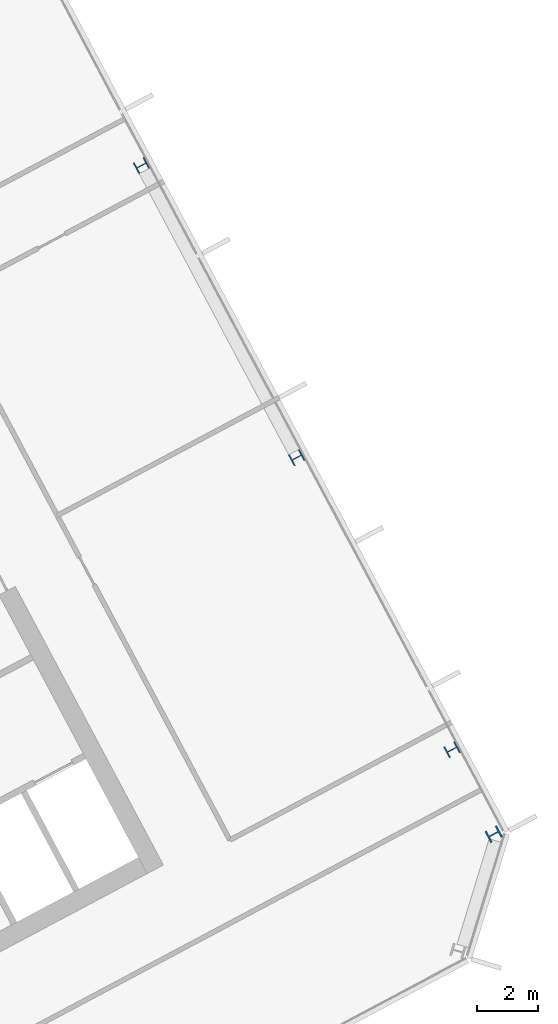
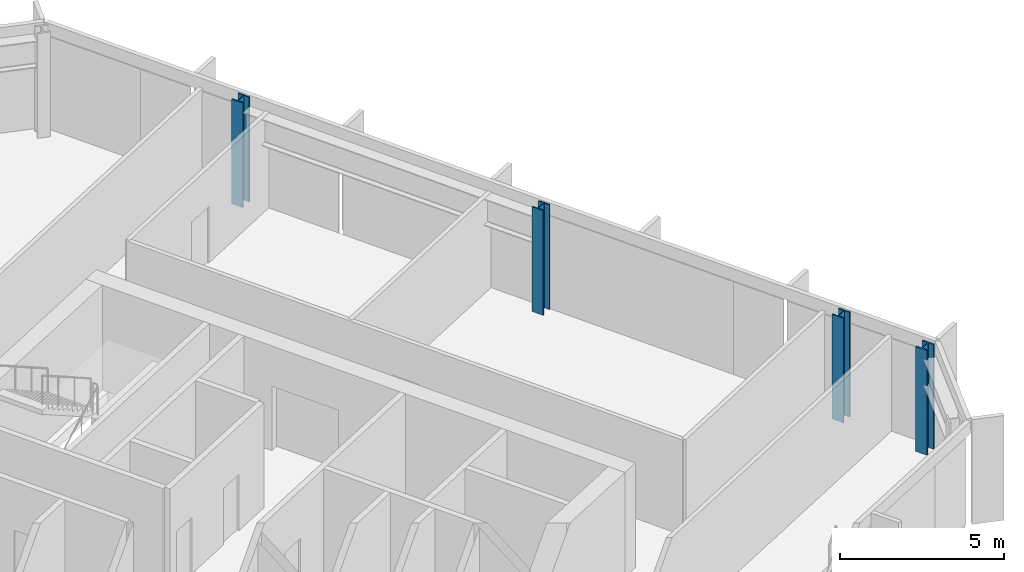
# One storey, part 7 of 26: 4 columns.
"""IFC4 building model written with IfcOpenShell, lengths in metres."""

from ifc_helpers import new_model, si_unit, direction, frame, origin, origin_2d, place, context, subcontext, project, spatial, i_section, extrude, material, material_profile, profile_set, type_object, element, save


model = new_model("IFC4")

# Units and contexts
model_context = context("Model", 3, precision=1e-05, world=origin(), true_north=direction((0.0, 1.0)))
body_context = subcontext(model_context, "Body", "Model", "MODEL_VIEW")
ifc_project = project(units=[si_unit("LENGTHUNIT", "METRE"), si_unit("AREAUNIT", "SQUARE_METRE"), si_unit("VOLUMEUNIT", "CUBIC_METRE"), si_unit("PLANEANGLEUNIT", "RADIAN"), si_unit("MASSUNIT", "GRAM", prefix="KILO")], contexts=[model_context])

# Site, building, storey
site_placement = place(None, origin())
site = spatial("IfcSite", under=ifc_project, at=site_placement, CompositionType="ELEMENT")
building_placement = place(site_placement, origin())
building = spatial("IfcBuilding", under=site, at=building_placement, Name="Cormorant Relay Tower", CompositionType="ELEMENT")
storey_placement = place(building_placement, frame((0.0, 0.0, 193.5)))
storey = spatial("IfcBuildingStorey", under=building, at=storey_placement, Name="L41", CompositionType="ELEMENT", Elevation=193.5)

# Columns
ifc_material_1 = material(Name="Steel ASTM A992 (Fy 345 MPa)", Category="steel")
ifc_material_profile_1 = material_profile(ifc_material_1, i_section(OverallWidth=0.40380859375, OverallDepth=0.406494140625, WebThickness=0.027099609375, FlangeThickness=0.043701171875, FilletRadius=0.01513671875, at=origin_2d()), Name="W360x347")
ifc_profile_set_1 = profile_set([ifc_material_profile_1], Name="Steel ASTM A992 (Fy 345 MPa)")
column_type_1 = type_object("IfcColumnType", Name="Column W360x347", PredefinedType="COLUMN", material=ifc_profile_set_1)
for number, where, z_axis, x_axis, name in (
    (1, (47.26611328125, 12.89990234375, 0.0), (0.0, 0.0, 1.0), (-0.469471562786, 0.882947592859, 0.0), "Column L41-026"),
    (2, (42.196044921875, 22.43603515625, 0.0), (0.0, 0.0, 1.0), (-0.469471562786, 0.882947592859, 0.0), "Column L41-029"),
    (3, (37.1259765625, 31.971923828125, 0.0), (0.0, 0.0, 1.0), (-0.469471562786, 0.882947592859, 0.0), "Column L41-036"),
):
    element("IfcColumn", number, at=place(storey_placement, frame(where, z_axis=z_axis, x_axis=x_axis)), inside=storey, type_object=column_type_1, Name=name, PredefinedType="COLUMN", context=body_context, shape_type="SweptSolid", body=[
        extrude(i_section(OverallWidth=0.40380859375, OverallDepth=0.406494140625, WebThickness=0.027099609375, FlangeThickness=0.043701171875, FilletRadius=0.01513671875, at=origin_2d()), origin(), (0.0, 0.0, 1.0), 3.89990234375),
    ])
ifc_material_2 = material(Name="Steel ASTM A992 (Fy 345 MPa)", Category="steel")
ifc_material_profile_2 = material_profile(ifc_material_2, i_section(OverallWidth=0.41162109375, OverallDepth=0.434326171875, WebThickness=0.035888671875, FlangeThickness=0.057373046875, FilletRadius=0.01513671875, at=origin_2d()), Name="W360x463")
ifc_profile_set_2 = profile_set([ifc_material_profile_2], Name="Steel ASTM A992 (Fy 345 MPa)")
column_type_2 = type_object("IfcColumnType", Name="Column W360x463", PredefinedType="COLUMN", material=ifc_profile_set_2)
column_placement = place(storey_placement, frame((48.6259765625, 10.14208984375, 0.0), z_axis=(0.0, 0.0, 1.0), x_axis=(-0.469471562786, 0.882947592859, 0.0)))
element("IfcColumn", 4, at=column_placement, inside=storey, type_object=column_type_2, Name="Column L41-021", PredefinedType="COLUMN", context=body_context, shape_type="SweptSolid", body=[
    extrude(i_section(OverallWidth=0.41162109375, OverallDepth=0.434326171875, WebThickness=0.035888671875, FlangeThickness=0.057373046875, FilletRadius=0.01513671875, at=origin_2d()), origin(), (0.0, 0.0, 1.0), 3.89990234375),
])

save(model, "model.ifc")
